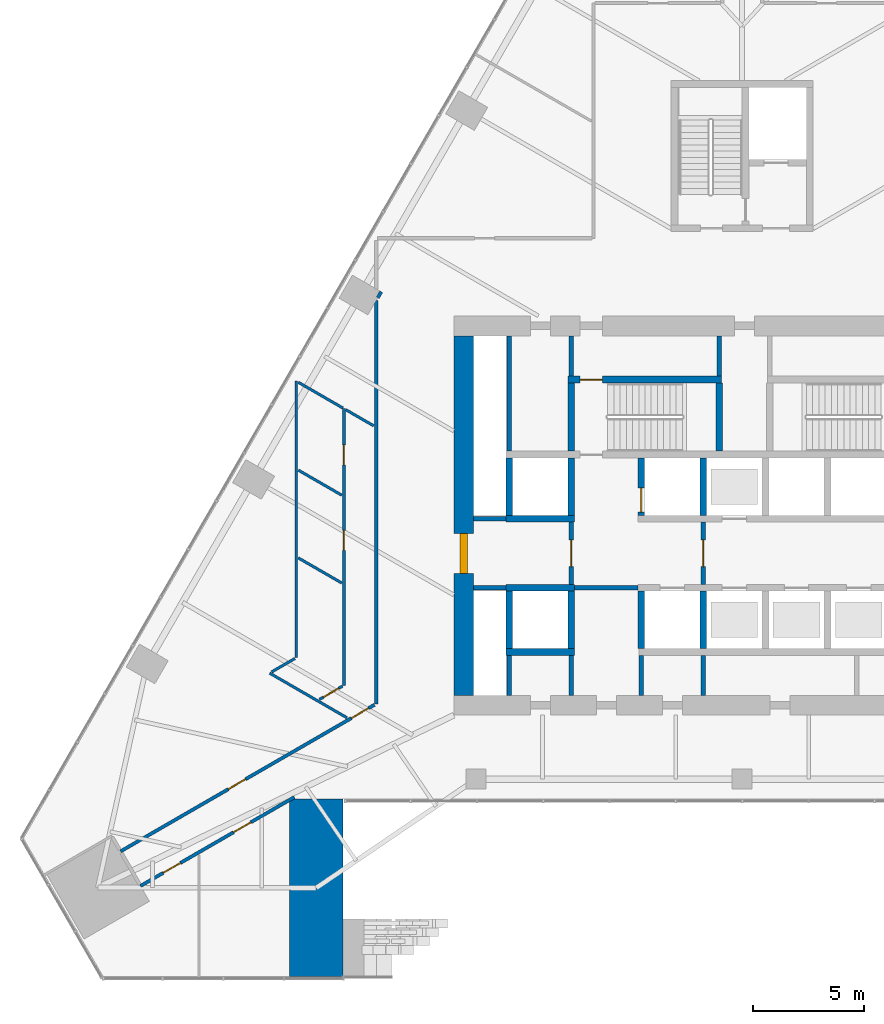
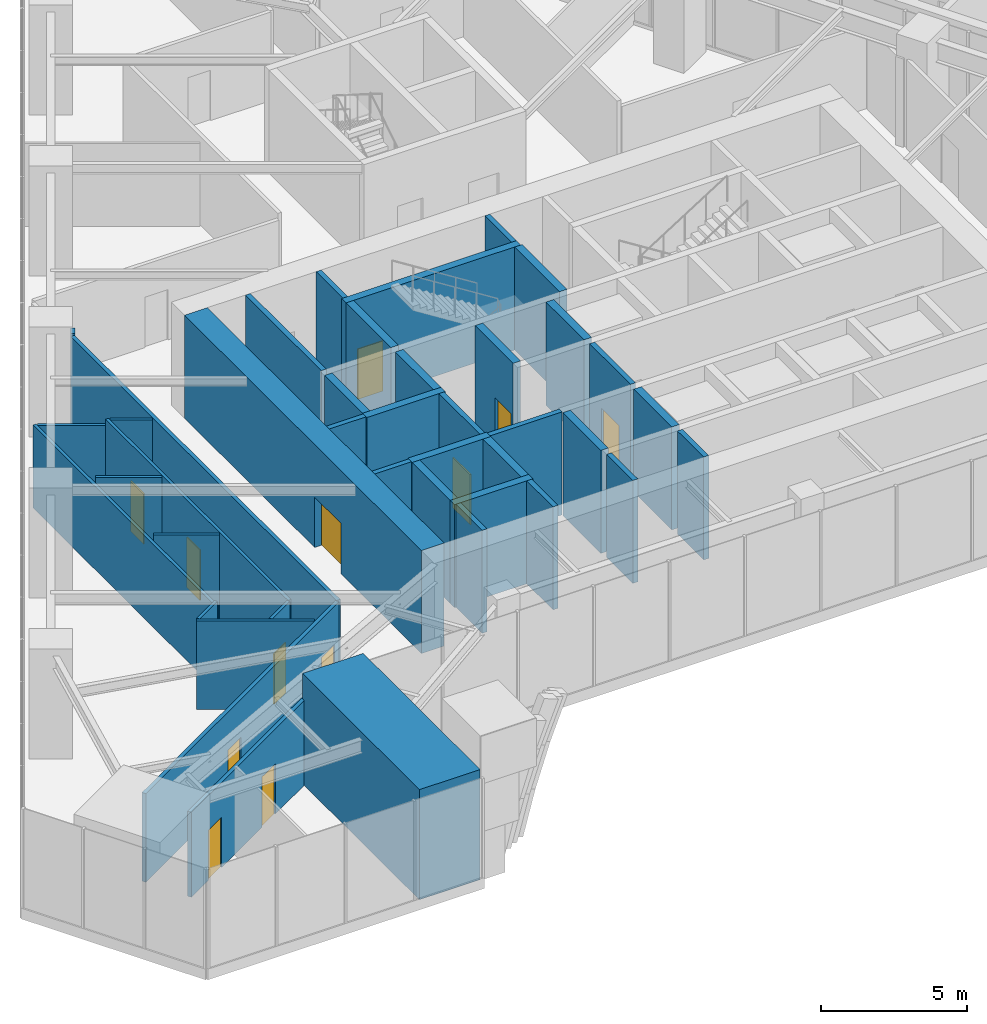
# One storey, part 17 of 29: 41 walls, 12 doors, 12 openings.
"""IFC4 building model written with IfcOpenShell, lengths in metres."""

import ifcopenshell
import ifcopenshell.guid

model = None  # the IFC model being written
_history = None  # IfcOwnerHistory: only IFC2X3 demands one
_inside = {}  # id of a spatial element -> (the spatial element, [elements in it])
_under = {}  # id of a project, library or spatial element -> (it, [spatial elements below it])
_declared = {}  # id of a project -> (the project, [libraries it declares])
_typed = {}  # id of a type object -> (the type object, [elements of that type])
_made_of = {}  # id of a material, layer set ... -> (it, [elements and type objects made of it])


def new_model(schema):
    """Start an empty IFC model of exactly this schema.

    Asked for "IFC4X3", IfcOpenShell would pick the latest addendum, in which some entities
    have other attributes; the version numbers below select the first issue.
    IFC2X3 requires an IfcOwnerHistory on every rooted entity: one is made here for all.
    """
    global model, _history
    if schema == "IFC4X3":
        model = ifcopenshell.file(schema_version=(4, 3, 0, 0))
    else:
        model = ifcopenshell.file(schema=schema)
    _inside.clear()
    _under.clear()
    _declared.clear()
    _typed.clear()
    _made_of.clear()
    _history = None
    if model.schema == "IFC2X3":
        org = make("IfcOrganization", Name="unknown")
        user = make(
            "IfcPersonAndOrganization",
            ThePerson=make("IfcPerson", FamilyName="unknown"),
            TheOrganization=org,
        )
        app = make(
            "IfcApplication",
            ApplicationDeveloper=org,
            Version="unknown",
            ApplicationFullName="unknown",
            ApplicationIdentifier="unknown",
        )
        _history = make(
            "IfcOwnerHistory",
            OwningUser=user,
            OwningApplication=app,
            ChangeAction="ADDED",
            CreationDate=0,
        )
    return model


def make(cls, **values):
    """One entity of the class cls with the attributes given. An attribute that is None is left unset."""
    return model.create_entity(
        cls, **{name: value for name, value in values.items() if value is not None}
    )


def rooted(cls, **values):
    """An entity with a GlobalId (a new one), such as an element, a storey or a relation."""
    return make(cls, GlobalId=ifcopenshell.guid.new(), OwnerHistory=_history, **values)


def si_unit(unit_type, name, prefix=None):
    """IfcSIUnit, for example si_unit("LENGTHUNIT", "METRE", prefix="MILLI")."""
    return make("IfcSIUnit", UnitType=unit_type, Prefix=prefix, Name=name)


def assignment(units):
    """IfcUnitAssignment: the units of a project."""
    return None if units is None else make("IfcUnitAssignment", Units=units)


def point(xyz):
    """IfcCartesianPoint."""
    return None if xyz is None else make("IfcCartesianPoint", Coordinates=xyz)


def direction(xyz):
    """IfcDirection."""
    return None if xyz is None else make("IfcDirection", DirectionRatios=xyz)


def frame(location, z_axis=None, x_axis=None):
    """IfcAxis2Placement3D, a coordinate frame: its origin and axes. An axis left out is left unset."""
    return make(
        "IfcAxis2Placement3D",
        Location=point(location),
        Axis=direction(z_axis),
        RefDirection=direction(x_axis),
    )


def frame_2d(location, x_axis=None):
    """IfcAxis2Placement2D, a coordinate frame in the plane: its origin and x axis."""
    return make(
        "IfcAxis2Placement2D", Location=point(location), RefDirection=direction(x_axis)
    )


def origin():
    """The frame at (0, 0, 0) with its axes left unset."""
    return frame((0.0, 0.0, 0.0))


def place(relative_to, where):
    """IfcLocalPlacement: puts the frame where relative to a parent placement (None: the world)."""
    return make(
        "IfcLocalPlacement", PlacementRelTo=relative_to, RelativePlacement=where
    )


def context(
    kind, dimensions, precision=None, world=None, true_north=None, identifier=None
):
    """IfcGeometricRepresentationContext, for example the 3D "Model" context."""
    return make(
        "IfcGeometricRepresentationContext",
        ContextIdentifier=identifier,
        ContextType=kind,
        CoordinateSpaceDimension=dimensions,
        Precision=precision,
        WorldCoordinateSystem=world,
        TrueNorth=true_north,
    )


def subcontext(parent, identifier, kind, view, scale=None):
    """IfcGeometricRepresentationSubContext, for example "Body" below "Model"."""
    return make(
        "IfcGeometricRepresentationSubContext",
        ContextIdentifier=identifier,
        ContextType=kind,
        ParentContext=parent,
        TargetScale=scale,
        TargetView=view,
    )


def project(units=None, contexts=None):
    """IfcProject with its units and contexts."""
    return rooted(
        "IfcProject",
        Name="project",
        RepresentationContexts=contexts,
        UnitsInContext=assignment(units),
    )


def spatial(cls, under=None, at=None, **own):
    """A site, building, storey or space (cls), placed at a placement, below another one or the project."""
    s = rooted(cls, ObjectPlacement=at, **own)
    if under is not None:
        _under.setdefault(under.id(), (under, []))[1].append(s)
    return s


def profile(cls, at=None, kind="AREA", **sizes):
    """A parametric profile (cls). Its sizes go by their IFC names, for example OverallWidth=200.0."""
    return make(cls, ProfileType=kind, Position=at, **sizes)


def rectangle(**sizes):
    """IfcRectangleProfileDef."""
    return profile("IfcRectangleProfileDef", **sizes)


def extrude(swept, where, along, depth):
    """IfcExtrudedAreaSolid: the profile swept, set in the frame where, extruded along a direction by depth."""
    return make(
        "IfcExtrudedAreaSolid",
        SweptArea=swept,
        Position=where,
        ExtrudedDirection=direction(along),
        Depth=depth,
    )


def shape(context_of_items, identifier, shape_type, items):
    """IfcShapeRepresentation: the items that make up one representation, for example the "Body"."""
    return make(
        "IfcShapeRepresentation",
        ContextOfItems=context_of_items,
        RepresentationIdentifier=identifier,
        RepresentationType=shape_type,
        Items=items,
    )


def material(Name=None, Category=None):
    """IfcMaterial."""
    return make("IfcMaterial", Name=Name, Category=Category)


def layer(
    of_material, thickness, ventilated=None, Name=None, Category=None, Priority=None
):
    """IfcMaterialLayer: one layer of a wall or slab, of a material (None: an air gap)."""
    return make(
        "IfcMaterialLayer",
        Material=of_material,
        LayerThickness=thickness,
        IsVentilated=ventilated,
        Name=Name,
        Category=Category,
        Priority=Priority,
    )


def layer_set(layers, Name=None):
    """IfcMaterialLayerSet."""
    return make("IfcMaterialLayerSet", MaterialLayers=layers, LayerSetName=Name)


def made_of(thing, what):
    """Note that an element or type object is made of a material, layer set ...; save() writes the relation."""
    if what is not None:
        _made_of.setdefault(what.id(), (what, []))[1].append(thing)
    return thing


def type_object(cls, material=None, **own):
    """A type object (cls), such as IfcWallType, which elements share."""
    return made_of(rooted(cls, **own), material)


def element(
    cls,
    number,
    at=None,
    inside=None,
    cuts=None,
    type_object=None,
    material=None,
    context=None,
    identifier="Body",
    shape_type=None,
    held_by="IfcProductDefinitionShape",
    body=None,
    shapes=None,
    **own,
):
    """One element of the class cls, such as IfcWall. Its Tag is "e" and its number.

    at: its placement. inside: the storey or other place that contains it. cuts: it is an
    opening in that element (IfcRelVoidsElement). A single representation is given by context,
    identifier, shape_type and body (its items); several are given by shapes. held_by: the class
    of the entity that holds the representations. save() writes the other relations.
    """
    e = rooted(cls, Tag="e%d" % number, ObjectPlacement=at, **own)
    if body is not None:
        shapes = [shape(context, identifier, shape_type, body)]
    if shapes is not None:
        e.Representation = make(held_by, Representations=shapes)
    if inside is not None:
        _inside.setdefault(inside.id(), (inside, []))[1].append(e)
    if cuts is not None:
        rooted(
            "IfcRelVoidsElement", RelatingBuildingElement=cuts, RelatedOpeningElement=e
        )
    if type_object is not None:
        _typed.setdefault(type_object.id(), (type_object, []))[1].append(e)
    return made_of(e, material)


def fill(opening, filler):
    """IfcRelFillsElement: the door or window that sits in an opening."""
    return rooted(
        "IfcRelFillsElement",
        RelatingOpeningElement=opening,
        RelatedBuildingElement=filler,
    )


def aggregate(whole, parts):
    """IfcRelAggregates: a whole, such as a stair, and the parts it consists of."""
    return rooted("IfcRelAggregates", RelatingObject=whole, RelatedObjects=parts)


def save(model, path):
    """Write the relations noted so far, then the file.

    IfcRelAggregates (storeys below a building ...), IfcRelContainedInSpatialStructure (elements
    in a storey), IfcRelDefinesByType, IfcRelAssociatesMaterial and IfcRelDeclares: one each for
    every whole, place, type object, material and project.
    """
    for whole, parts in _under.values():
        aggregate(whole, parts)
    for where, things in _inside.values():
        rooted(
            "IfcRelContainedInSpatialStructure",
            RelatedElements=things,
            RelatingStructure=where,
        )
    for kind, things in _typed.values():
        rooted("IfcRelDefinesByType", RelatedObjects=things, RelatingType=kind)
    for what, things in _made_of.values():
        rooted("IfcRelAssociatesMaterial", RelatedObjects=things, RelatingMaterial=what)
    for by, libraries in _declared.values():
        rooted("IfcRelDeclares", RelatingContext=by, RelatedDefinitions=libraries)
    model.write(path)


model = new_model("IFC4")

# Units and contexts
model_context = context("Model", 3, precision=1e-05, world=origin(), true_north=direction((0.0, 1.0)))
body_context = subcontext(model_context, "Body", "Model", "MODEL_VIEW")
ifc_project = project(units=[si_unit("LENGTHUNIT", "METRE"), si_unit("AREAUNIT", "SQUARE_METRE"), si_unit("VOLUMEUNIT", "CUBIC_METRE"), si_unit("PLANEANGLEUNIT", "RADIAN"), si_unit("MASSUNIT", "GRAM", prefix="KILO")], contexts=[model_context])

# Site, building, storey
site_placement = place(None, origin())
site = spatial("IfcSite", under=ifc_project, at=site_placement, CompositionType="ELEMENT")
building_placement = place(site_placement, origin())
building = spatial("IfcBuilding", under=site, at=building_placement, Name="Firuza Gate Tower and Library", CompositionType="ELEMENT")
storey_placement = place(building_placement, frame((0.0, 0.0, 8.0)))
storey = spatial("IfcBuildingStorey", under=building, at=storey_placement, Name="L01", CompositionType="ELEMENT", Elevation=8.0)

# Walls
ifc_material_1 = material(Name="Plasterboard on steel studs", Category="steel")
ifc_layer_1 = layer(ifc_material_1, 0.199951171875)
ifc_layer_set_1 = layer_set([ifc_layer_1], Name="Core partition 200 EI 120")
wall_type_1 = type_object("IfcWallType", Name="Core partition 200 EI 120", PredefinedType="PARTITIONING", material=ifc_layer_set_1)
wall_1_placement = place(storey_placement, frame((62.89990234375, 71.75, 0.0), z_axis=(0.0, 0.0, 1.0), x_axis=(1.0, 0.0, 0.0)))
element("IfcWall", 1, at=wall_1_placement, inside=storey, type_object=wall_type_1, Name="Core partition L01 1", PredefinedType="PARTITIONING", context=body_context, shape_type="SweptSolid", body=[
    extrude(rectangle(XDim=1.4501953125, YDim=0.199951171875, at=frame_2d((0.72509765625, 0.0))), origin(), (0.0, 0.0, 1.0), 4.300048828125),
])
wall_2_placement = place(storey_placement, frame((67.449951171875, 71.75, 0.0), z_axis=(0.0, 0.0, 1.0), x_axis=(1.0, 0.0, 0.0)))
element("IfcWall", 2, at=wall_2_placement, inside=storey, type_object=wall_type_1, Name="Core partition L01 2", PredefinedType="PARTITIONING", context=body_context, shape_type="SweptSolid", body=[
    extrude(rectangle(XDim=2.85009765625, YDim=0.199951171875, at=frame_2d((1.425048828125, 0.0))), origin(), (0.0, 0.0, 1.0), 4.300048828125),
])
wall_3_placement = place(storey_placement, frame((62.89990234375, 74.85009765625, 0.0), z_axis=(0.0, 0.0, 1.0), x_axis=(1.0, 0.0, 0.0)))
element("IfcWall", 3, at=wall_3_placement, inside=storey, type_object=wall_type_1, Name="Core partition L01 3", PredefinedType="PARTITIONING", context=body_context, shape_type="SweptSolid", body=[
    extrude(rectangle(XDim=1.4501953125, YDim=0.199951171875, at=frame_2d((0.72509765625, 0.0))), origin(), (0.0, 0.0, 1.0), 4.300048828125),
])
wall_4_placement = place(storey_placement, frame((64.5, 66.89990234375, 0.0), z_axis=(0.0, 0.0, 1.0), x_axis=(0.0, 1.0, 0.0)))
element("IfcWall", 4, at=wall_4_placement, inside=storey, type_object=wall_type_1, Name="Core partition L01 5", PredefinedType="PARTITIONING", context=body_context, shape_type="SweptSolid", body=[
    extrude(rectangle(XDim=1.800048828125, YDim=0.199951171875, at=frame_2d((0.89990234375, 0.0))), origin(), (0.0, 0.0, 1.0), 4.300048828125),
])
wall_5_placement = place(storey_placement, frame((64.5, 77.89990234375, 0.0), z_axis=(0.0, 0.0, 1.0), x_axis=(0.0, 1.0, 0.0)))
element("IfcWall", 5, at=wall_5_placement, inside=storey, type_object=wall_type_1, Name="Core partition L01 6", PredefinedType="PARTITIONING", context=body_context, shape_type="SweptSolid", body=[
    extrude(rectangle(XDim=5.2001953125, YDim=0.199951171875, at=frame_2d((2.60009765625, 0.0))), origin(), (0.0, 0.0, 1.0), 4.300048828125),
])
for number, where, z_axis, x_axis, name in (
    (6, (67.300048828125, 66.89990234375, 0.0), (0.0, 0.0, 1.0), (0.0, 1.0, 0.0), "Core partition L01 7"),
    (7, (70.449951171875, 66.89990234375, 0.0), (0.0, 0.0, 1.0), (0.0, 1.0, 0.0), "Core partition L01 10"),
    (8, (73.25, 66.89990234375, 0.0), (0.0, 0.0, 1.0), (0.0, 1.0, 0.0), "Core partition L01 11"),
):
    element("IfcWall", number, at=place(storey_placement, frame(where, z_axis=z_axis, x_axis=x_axis)), inside=storey, type_object=wall_type_1, Name=name, PredefinedType="PARTITIONING", context=body_context, shape_type="SweptSolid", body=[
        extrude(rectangle(XDim=1.800048828125, YDim=0.199951171875, at=frame_2d((0.89990234375, 0.0))), origin(), (0.0, 0.0, 1.0), 4.300048828125),
    ])

# Wall, opening, door
ifc_material_2 = material(Name="Plasterboard on steel studs", Category="steel")
ifc_layer_2 = layer(ifc_material_2, 0.199951171875)
ifc_layer_set_2 = layer_set([ifc_layer_2], Name="Core partition 200 EI 60")
wall_type_2 = type_object("IfcWallType", Name="Core partition 200 EI 60", PredefinedType="PARTITIONING", material=ifc_layer_set_2)
wall_6_placement = place(storey_placement, frame((67.300048828125, 71.89990234375, 0.0), z_axis=(0.0, 0.0, 1.0), x_axis=(0.0, 1.0, 0.0)))
wall_6 = element("IfcWall", 9, at=wall_6_placement, inside=storey, type_object=wall_type_2, Name="Core partition L01 8", PredefinedType="PARTITIONING", context=body_context, shape_type="SweptSolid", body=[
    extrude(rectangle(XDim=2.800048828125, YDim=0.199951171875, at=frame_2d((1.39990234375, 0.0))), origin(), (0.0, 0.0, 1.0), 4.300048828125),
])
opening_1_placement = place(wall_6_placement, frame((0.800048828125, 0.0, 0.0)))
opening_1 = element("IfcOpeningElement", 10, at=opening_1_placement, cuts=wall_6, Name="Opening L01-K21", PredefinedType="OPENING", context=body_context, shape_type="SweptSolid", body=[
    extrude(rectangle(XDim=1.199951171875, YDim=2.10009765625, at=frame_2d((0.60009765625, 1.050048828125))), frame((0.0, 0.10986328125, 0.0), z_axis=(0.0, -1.0, 0.0), x_axis=(1.0, 0.0, 0.0)), (0.0, 0.0, 1.0), 0.219970703125),
])
ifc_material_3 = material(Name="Steel", Category="steel")
door_type_1 = type_object("IfcDoorType", Name="Fire door 1200x2100 FD90S", OperationType="NOTDEFINED", PredefinedType="DOOR", material=ifc_material_3)
door_1_placement = place(opening_1_placement, origin())
door_1 = element("IfcDoor", 11, at=door_1_placement, inside=storey, type_object=door_type_1, Name="Door L01-K21", OperationType="SINGLE_SWING_RIGHT", OverallHeight=2.10009765625, OverallWidth=1.199951171875, PredefinedType="DOOR", context=body_context, shape_type="SweptSolid", body=[
    extrude(rectangle(XDim=1.199951171875, YDim=2.10009765625, at=frame_2d((0.60009765625, 1.050048828125))), frame((0.0, 0.02490234375, 0.0), z_axis=(0.0, -1.0, 0.0), x_axis=(1.0, 0.0, 0.0)), (0.0, 0.0, 1.0), 0.050048828125),
])
fill(opening_1, door_1)

# Wall
wall_7_placement = place(storey_placement, frame((67.300048828125, 81.280029296875, 0.0), z_axis=(0.0, 0.0, 1.0), x_axis=(0.0, 1.0, 0.0)))
element("IfcWall", 12, at=wall_7_placement, inside=storey, type_object=wall_type_2, Name="Core partition L01 9", PredefinedType="PARTITIONING", context=body_context, shape_type="SweptSolid", body=[
    extrude(rectangle(XDim=1.820068359375, YDim=0.199951171875, at=frame_2d((0.91015625, 0.0))), origin(), (0.0, 0.0, 1.0), 4.300048828125),
])

# Wall, opening, door
wall_8_placement = place(storey_placement, frame((73.25, 71.89990234375, 0.0), z_axis=(0.0, 0.0, 1.0), x_axis=(0.0, 1.0, 0.0)))
wall_8 = element("IfcWall", 13, at=wall_8_placement, inside=storey, type_object=wall_type_2, Name="Core partition L01 12", PredefinedType="PARTITIONING", context=body_context, shape_type="SweptSolid", body=[
    extrude(rectangle(XDim=2.800048828125, YDim=0.199951171875, at=frame_2d((1.39990234375, 0.0))), origin(), (0.0, 0.0, 1.0), 4.300048828125),
])
opening_2_placement = place(wall_8_placement, frame((0.800048828125, 0.0, 0.0)))
opening_2 = element("IfcOpeningElement", 14, at=opening_2_placement, cuts=wall_8, Name="Opening L01-K20", PredefinedType="OPENING", context=body_context, shape_type="SweptSolid", body=[
    extrude(rectangle(XDim=1.199951171875, YDim=2.10009765625, at=frame_2d((0.60009765625, 1.050048828125))), frame((0.0, 0.10986328125, 0.0), z_axis=(0.0, -1.0, 0.0), x_axis=(1.0, 0.0, 0.0)), (0.0, 0.0, 1.0), 0.219970703125),
])
door_2_placement = place(opening_2_placement, origin())
door_2 = element("IfcDoor", 15, at=door_2_placement, inside=storey, type_object=door_type_1, Name="Door L01-K20", OperationType="SINGLE_SWING_LEFT", OverallHeight=2.10009765625, OverallWidth=1.199951171875, PredefinedType="DOOR", context=body_context, shape_type="SweptSolid", body=[
    extrude(rectangle(XDim=1.199951171875, YDim=2.10009765625, at=frame_2d((0.60009765625, 1.050048828125))), frame((0.0, 0.02490234375, 0.0), z_axis=(0.0, -1.0, 0.0), x_axis=(1.0, 0.0, 0.0)), (0.0, 0.0, 1.0), 0.050048828125),
])
fill(opening_2, door_2)

# Walls
wall_9_placement = place(storey_placement, frame((73.9599609375, 81.280029296875, 0.0), z_axis=(0.0, 0.0, 1.0), x_axis=(0.0, 1.0, 0.0)))
element("IfcWall", 16, at=wall_9_placement, inside=storey, type_object=wall_type_2, Name="Core partition L01 13", PredefinedType="PARTITIONING", context=body_context, shape_type="SweptSolid", body=[
    extrude(rectangle(XDim=1.820068359375, YDim=0.199951171875, at=frame_2d((0.91015625, 0.0))), origin(), (0.0, 0.0, 1.0), 4.300048828125),
])
ifc_material_4 = material(Name="Concrete C80/95", Category="concrete")
ifc_layer_3 = layer(ifc_material_4, 0.300048828125)
ifc_layer_set_3 = layer_set([ifc_layer_3], Name="Core wall 300 C80/95")
wall_type_3 = type_object("IfcWallType", Name="Core wall 300 C80/95", PredefinedType="SHEAR", material=ifc_layer_set_3)
for number, where, z_axis, x_axis, name in (
    (17, (64.35009765625, 68.85009765625, 0.0), (0.0, 0.0, 1.0), (1.0, 0.0, 0.0), "Core wall L01 5"),
    (18, (64.35009765625, 71.75, 0.0), (0.0, 0.0, 1.0), (1.0, 0.0, 0.0), "Core wall L01 7"),
    (19, (64.35009765625, 74.85009765625, 0.0), (0.0, 0.0, 1.0), (1.0, 0.0, 0.0), "Core wall L01 9"),
):
    element("IfcWall", number, at=place(storey_placement, frame(where, z_axis=z_axis, x_axis=x_axis)), inside=storey, type_object=wall_type_3, Name=name, PredefinedType="SHEAR", context=body_context, shape_type="SweptSolid", body=[
        extrude(rectangle(XDim=3.099853515625, YDim=0.300048828125, at=frame_2d((1.5498046875, 0.0))), origin(), (0.0, 0.0, 1.0), 4.300048828125),
    ])
for number, where, z_axis, x_axis, name in (
    (20, (64.5, 69.0, 0.0), (0.0, 0.0, 1.0), (0.0, 1.0, 0.0), "Core wall L01 11"),
    (21, (64.5, 75.0, 0.0), (0.0, 0.0, 1.0), (0.0, 1.0, 0.0), "Core wall L01 12"),
    (22, (67.300048828125, 69.0, 0.0), (0.0, 0.0, 1.0), (0.0, 1.0, 0.0), "Core wall L01 13"),
    (23, (67.300048828125, 75.0, 0.0), (0.0, 0.0, 1.0), (0.0, 1.0, 0.0), "Core wall L01 14"),
    (24, (70.449951171875, 69.0, 0.0), (0.0, 0.0, 1.0), (0.0, 1.0, 0.0), "Core wall L01 15"),
):
    element("IfcWall", number, at=place(storey_placement, frame(where, z_axis=z_axis, x_axis=x_axis)), inside=storey, type_object=wall_type_3, Name=name, PredefinedType="SHEAR", context=body_context, shape_type="SweptSolid", body=[
        extrude(rectangle(XDim=2.60009765625, YDim=0.300048828125, at=frame_2d((1.300048828125, 0.0))), origin(), (0.0, 0.0, 1.0), 4.300048828125),
    ])

# Wall, opening, door
wall_10_placement = place(storey_placement, frame((70.449951171875, 75.0, 0.0), z_axis=(0.0, 0.0, 1.0), x_axis=(0.0, 1.0, 0.0)))
wall_10 = element("IfcWall", 25, at=wall_10_placement, inside=storey, type_object=wall_type_3, Name="Core wall L01 16", PredefinedType="SHEAR", context=body_context, shape_type="SweptSolid", body=[
    extrude(rectangle(XDim=2.60009765625, YDim=0.300048828125, at=frame_2d((1.300048828125, 0.0))), origin(), (0.0, 0.0, 1.0), 4.300048828125),
])
opening_3_placement = place(wall_10_placement, frame((0.14990234375, 0.0, 0.0)))
opening_3 = element("IfcOpeningElement", 26, at=opening_3_placement, cuts=wall_10, Name="Opening LD-FF2-L01", PredefinedType="OPENING", context=body_context, shape_type="SweptSolid", body=[
    extrude(rectangle(XDim=1.10009765625, YDim=2.10009765625, at=frame_2d((0.550048828125, 1.050048828125))), frame((0.0, 0.16015625, 0.0), z_axis=(0.0, -1.0, 0.0), x_axis=(1.0, 0.0, 0.0)), (0.0, 0.0, 1.0), 0.320068359375),
])
ifc_material_5 = material(Name="Stainless steel", Category="steel")
door_type_2 = type_object("IfcDoorType", Name="Lift landing door 1100x2100", OperationType="DOUBLE_DOOR_SLIDING", PredefinedType="DOOR", material=ifc_material_5)
door_3_placement = place(opening_3_placement, origin())
door_3 = element("IfcDoor", 27, at=door_3_placement, inside=storey, type_object=door_type_2, Name="Landing door FF2 L01", OperationType="DOUBLE_DOOR_SLIDING", OverallHeight=2.10009765625, OverallWidth=1.10009765625, PredefinedType="DOOR", context=body_context, shape_type="SweptSolid", body=[
    extrude(rectangle(XDim=1.10009765625, YDim=2.10009765625, at=frame_2d((0.550048828125, 1.050048828125))), frame((0.0, 0.02490234375, 0.0), z_axis=(0.0, -1.0, 0.0), x_axis=(1.0, 0.0, 0.0)), (0.0, 0.0, 1.0), 0.050048828125),
])
fill(opening_3, door_3)

# Walls
for number, where, z_axis, x_axis, name in (
    (28, (73.25, 69.0, 0.0), (0.0, 0.0, 1.0), (0.0, 1.0, 0.0), "Core wall L01 17"),
    (29, (73.25, 75.0, 0.0), (0.0, 0.0, 1.0), (0.0, 1.0, 0.0), "Core wall L01 18"),
):
    element("IfcWall", number, at=place(storey_placement, frame(where, z_axis=z_axis, x_axis=x_axis)), inside=storey, type_object=wall_type_3, Name=name, PredefinedType="SHEAR", context=body_context, shape_type="SweptSolid", body=[
        extrude(rectangle(XDim=2.60009765625, YDim=0.300048828125, at=frame_2d((1.300048828125, 0.0))), origin(), (0.0, 0.0, 1.0), 4.300048828125),
    ])

# Wall, opening, door
wall_11_placement = place(storey_placement, frame((67.14990234375, 81.1298828125, 0.0), z_axis=(0.0, 0.0, 1.0), x_axis=(1.0, 0.0, 0.0)))
wall_11 = element("IfcWall", 30, at=wall_11_placement, inside=storey, type_object=wall_type_3, Name="Core wall L01 28", PredefinedType="SHEAR", context=body_context, shape_type="SweptSolid", body=[
    extrude(rectangle(XDim=6.91015625, YDim=0.300048828125, at=frame_2d((3.455078125, 0.0))), origin(), (0.0, 0.0, 1.0), 4.300048828125),
])
opening_4_placement = place(wall_11_placement, frame((0.544921875, 0.0, 0.0)))
opening_4 = element("IfcOpeningElement", 31, at=opening_4_placement, cuts=wall_11, Name="Opening L01-K13", PredefinedType="OPENING", context=body_context, shape_type="SweptSolid", body=[
    extrude(rectangle(XDim=1.0, YDim=2.10009765625, at=frame_2d((0.5, 1.050048828125))), frame((0.0, 0.16015625, 0.0), z_axis=(0.0, -1.0, 0.0), x_axis=(1.0, 0.0, 0.0)), (0.0, 0.0, 1.0), 0.320068359375),
])
ifc_material_6 = material(Name="Steel", Category="steel")
door_type_3 = type_object("IfcDoorType", Name="Fire door 1000x2100 FD90", OperationType="NOTDEFINED", PredefinedType="DOOR", material=ifc_material_6)
door_4_placement = place(opening_4_placement, origin())
door_4 = element("IfcDoor", 32, at=door_4_placement, inside=storey, type_object=door_type_3, Name="Door L01-K13", OperationType="SINGLE_SWING_RIGHT", OverallHeight=2.10009765625, OverallWidth=1.0, PredefinedType="DOOR", context=body_context, shape_type="SweptSolid", body=[
    extrude(rectangle(XDim=1.0, YDim=2.10009765625, at=frame_2d((0.5, 1.050048828125))), frame((0.0, 0.02490234375, 0.0), z_axis=(0.0, -1.0, 0.0), x_axis=(1.0, 0.0, 0.0)), (0.0, 0.0, 1.0), 0.050048828125),
])
fill(opening_4, door_4)

# Walls
for number, where, z_axis, x_axis, name in (
    (33, (67.300048828125, 77.89990234375, 0.0), (0.0, 0.0, 1.0), (0.0, 1.0, 0.0), "Core wall L01 30"),
    (34, (73.9599609375, 77.89990234375, 0.0), (0.0, 0.0, 1.0), (0.0, 1.0, 0.0), "Core wall L01 31"),
):
    element("IfcWall", number, at=place(storey_placement, frame(where, z_axis=z_axis, x_axis=x_axis)), inside=storey, type_object=wall_type_3, Name=name, PredefinedType="SHEAR", context=body_context, shape_type="SweptSolid", body=[
        extrude(rectangle(XDim=3.080078125, YDim=0.300048828125, at=frame_2d((1.5400390625, 0.0))), origin(), (0.0, 0.0, 1.0), 4.300048828125),
    ])

# Wall, opening, door
ifc_material_7 = material(Name="Concrete C80/95", Category="concrete")
ifc_layer_4 = layer(ifc_material_7, 0.89990234375)
ifc_layer_set_4 = layer_set([ifc_layer_4], Name="Core wall 900 C80/95")
wall_type_4 = type_object("IfcWallType", Name="Core wall 900 C80/95", PredefinedType="SHEAR", material=ifc_layer_set_4)
wall_12_placement = place(storey_placement, frame((62.449951171875, 66.89990234375, 0.0), z_axis=(0.0, 0.0, 1.0), x_axis=(0.0, 1.0, 0.0)))
wall_12 = element("IfcWall", 35, at=wall_12_placement, inside=storey, type_object=wall_type_4, Name="Core wall L01 3", PredefinedType="SHEAR", context=body_context, shape_type="SweptSolid", body=[
    extrude(rectangle(XDim=16.2001953125, YDim=0.89990234375, at=frame_2d((8.10009765625, 0.0))), origin(), (0.0, 0.0, 1.0), 4.300048828125),
])
opening_5_placement = place(wall_12_placement, frame((5.5, 0.0, 0.0)))
opening_5 = element("IfcOpeningElement", 36, at=opening_5_placement, cuts=wall_12, Name="Opening L01-K22", PredefinedType="OPENING", context=body_context, shape_type="SweptSolid", body=[
    extrude(rectangle(XDim=1.800048828125, YDim=2.10009765625, at=frame_2d((0.89990234375, 1.050048828125))), frame((0.0, 0.4599609375, 0.0), z_axis=(0.0, -1.0, 0.0), x_axis=(1.0, 0.0, 0.0)), (0.0, 0.0, 1.0), 0.919921875),
])
ifc_material_8 = material(Name="Steel", Category="steel")
door_type_4 = type_object("IfcDoorType", Name="Fire door 1800x2100 FD30S", OperationType="NOTDEFINED", PredefinedType="DOOR", material=ifc_material_8)
door_5_placement = place(opening_5_placement, origin())
door_5 = element("IfcDoor", 37, at=door_5_placement, inside=storey, type_object=door_type_4, Name="Door L01-K22", OperationType="SINGLE_SWING_LEFT", OverallHeight=2.10009765625, OverallWidth=1.800048828125, PredefinedType="DOOR", context=body_context, shape_type="SweptSolid", body=[
    extrude(rectangle(XDim=1.800048828125, YDim=2.10009765625, at=frame_2d((0.89990234375, 1.050048828125))), frame((0.0, 0.169921875, 0.0), z_axis=(0.0, -1.0, 0.0), x_axis=(1.0, 0.0, 0.0)), (0.0, 0.0, 1.0), 0.33984375),
])
fill(opening_5, door_5)

# Wall, openings, doors
ifc_material_9 = material(Name="Gypsum board partition")
ifc_layer_5 = layer(ifc_material_9, 0.14990234375)
ifc_layer_set_5 = layer_set([ifc_layer_5], Name="Corridor wall 150 double board on steel studs")
wall_type_5 = type_object("IfcWallType", Name="Corridor wall 150 double board on steel studs", PredefinedType="PARTITIONING", material=ifc_layer_set_5)
wall_13_placement = place(storey_placement, frame((54.813720703125, 62.306396484375, 0.0), z_axis=(0.0, 0.0, 1.0), x_axis=(-0.866015941479, -0.500016388836, 0.0)))
wall_13 = element("IfcWall", 38, at=wall_13_placement, inside=storey, type_object=wall_type_5, Name="f:L01:w009", PredefinedType="PARTITIONING", context=body_context, shape_type="SweptSolid", body=[
    extrude(rectangle(XDim=8.004638671875, YDim=0.14990234375, at=frame_2d((4.00244140625, 0.0))), origin(), (0.0, 0.0, 1.0), 3.547119140625),
])
opening_6_placement = place(wall_13_placement, frame((2.265869140625, 0.0, 0.0)))
opening_6 = element("IfcOpeningElement", 39, at=opening_6_placement, cuts=wall_13, Name="Opening L01-06", PredefinedType="OPENING", context=body_context, shape_type="SweptSolid", body=[
    extrude(rectangle(XDim=0.89990234375, YDim=2.10009765625, at=frame_2d((0.449951171875, 1.050048828125))), frame((0.0, 0.0849609375, 0.0), z_axis=(0.0, -1.0, 0.0), x_axis=(1.0, 0.0, 0.0)), (0.0, 0.0, 1.0), 0.169921875),
])
opening_7_placement = place(wall_13_placement, frame((5.929931640625, 0.0, 0.0)))
opening_7 = element("IfcOpeningElement", 40, at=opening_7_placement, cuts=wall_13, Name="Opening L01-07", PredefinedType="OPENING", context=body_context, shape_type="SweptSolid", body=[
    extrude(rectangle(XDim=0.89990234375, YDim=2.10009765625, at=frame_2d((0.449951171875, 1.050048828125))), frame((0.0, 0.0849609375, 0.0), z_axis=(0.0, -1.0, 0.0), x_axis=(1.0, 0.0, 0.0)), (0.0, 0.0, 1.0), 0.169921875),
])
ifc_material_10 = material(Name="Steel door and timber leaf", Category="steel")
door_type_5 = type_object("IfcDoorType", Name="Fire door 900 x 2100 steel frame, timber leaf", OperationType="NOTDEFINED", PredefinedType="DOOR", material=ifc_material_10)
door_6_placement = place(opening_6_placement, origin())
door_6 = element("IfcDoor", 41, at=door_6_placement, inside=storey, type_object=door_type_5, Name="f:L01:d006", OperationType="SINGLE_SWING_LEFT", OverallHeight=2.10009765625, OverallWidth=0.89990234375, PredefinedType="DOOR", context=body_context, shape_type="SweptSolid", body=[
    extrude(rectangle(XDim=0.89990234375, YDim=2.10009765625, at=frame_2d((0.449951171875, 1.050048828125))), frame((0.0, 0.02490234375, 0.0), z_axis=(0.0, -1.0, 0.0), x_axis=(1.0, 0.0, 0.0)), (0.0, 0.0, 1.0), 0.050048828125),
])
fill(opening_6, door_6)
door_7_placement = place(opening_7_placement, origin())
door_7 = element("IfcDoor", 42, at=door_7_placement, inside=storey, type_object=door_type_5, Name="f:L01:d007", OperationType="SINGLE_SWING_RIGHT", OverallHeight=2.10009765625, OverallWidth=0.89990234375, PredefinedType="DOOR", context=body_context, shape_type="SweptSolid", body=[
    extrude(rectangle(XDim=0.89990234375, YDim=2.10009765625, at=frame_2d((0.449951171875, 1.050048828125))), frame((0.0, 0.02490234375, 0.0), z_axis=(0.0, -1.0, 0.0), x_axis=(1.0, 0.0, 0.0)), (0.0, 0.0, 1.0), 0.050048828125),
])
fill(opening_7, door_7)

wall_14_placement = place(storey_placement, frame((46.98095703125, 59.862548828125, 0.0), z_axis=(0.0, 0.0, 1.0), x_axis=(0.866027754727, 0.499995928025, 0.0)))
wall_14 = element("IfcWall", 43, at=wall_14_placement, inside=storey, type_object=wall_type_5, Name="f:L01:w010", PredefinedType="PARTITIONING", context=body_context, shape_type="SweptSolid", body=[
    extrude(rectangle(XDim=13.21435546875, YDim=0.14990234375, at=frame_2d((6.607177734375, 0.0))), origin(), (0.0, 0.0, 1.0), 3.699951171875),
])
opening_8_placement = place(wall_14_placement, frame((5.609130859375, 0.0, 0.0)))
opening_8 = element("IfcOpeningElement", 44, at=opening_8_placement, cuts=wall_14, Name="Opening L01-08", PredefinedType="OPENING", context=body_context, shape_type="SweptSolid", body=[
    extrude(rectangle(XDim=0.89990234375, YDim=2.10009765625, at=frame_2d((0.449951171875, 1.050048828125))), frame((0.0, 0.0849609375, 0.0), z_axis=(0.0, -1.0, 0.0), x_axis=(1.0, 0.0, 0.0)), (0.0, 0.0, 1.0), 0.169921875),
])
opening_9_placement = place(wall_14_placement, frame((12.012939453125, 0.0, 0.0)))
opening_9 = element("IfcOpeningElement", 45, at=opening_9_placement, cuts=wall_14, Name="Opening L01-09", PredefinedType="OPENING", context=body_context, shape_type="SweptSolid", body=[
    extrude(rectangle(XDim=0.89990234375, YDim=2.10009765625, at=frame_2d((0.449951171875, 1.050048828125))), frame((0.0, 0.0849609375, 0.0), z_axis=(0.0, -1.0, 0.0), x_axis=(1.0, 0.0, 0.0)), (0.0, 0.0, 1.0), 0.169921875),
])
door_8_placement = place(opening_8_placement, origin())
door_8 = element("IfcDoor", 46, at=door_8_placement, inside=storey, type_object=door_type_5, Name="f:L01:d008", OperationType="SINGLE_SWING_LEFT", OverallHeight=2.10009765625, OverallWidth=0.89990234375, PredefinedType="DOOR", context=body_context, shape_type="SweptSolid", body=[
    extrude(rectangle(XDim=0.89990234375, YDim=2.10009765625, at=frame_2d((0.449951171875, 1.050048828125))), frame((0.0, 0.02490234375, 0.0), z_axis=(0.0, -1.0, 0.0), x_axis=(1.0, 0.0, 0.0)), (0.0, 0.0, 1.0), 0.050048828125),
])
fill(opening_8, door_8)
door_9_placement = place(opening_9_placement, origin())
door_9 = element("IfcDoor", 47, at=door_9_placement, inside=storey, type_object=door_type_5, Name="f:L01:d009", OperationType="SINGLE_SWING_LEFT", OverallHeight=2.10009765625, OverallWidth=0.89990234375, PredefinedType="DOOR", context=body_context, shape_type="SweptSolid", body=[
    extrude(rectangle(XDim=0.89990234375, YDim=2.10009765625, at=frame_2d((0.449951171875, 1.050048828125))), frame((0.0, 0.02490234375, 0.0), z_axis=(0.0, -1.0, 0.0), x_axis=(1.0, 0.0, 0.0)), (0.0, 0.0, 1.0), 0.050048828125),
])
fill(opening_9, door_9)

# Walls
wall_15_placement = place(storey_placement, frame((58.57568359375, 84.820068359375, 0.0), z_axis=(0.0, 0.0, 1.0), x_axis=(0.49972245349, 0.866185586049, 0.0)))
element("IfcWall", 48, at=wall_15_placement, inside=storey, type_object=wall_type_5, Name="f:L01:w016", PredefinedType="PARTITIONING", context=body_context, shape_type="SweptSolid", body=[
    extrude(rectangle(XDim=0.307861328125, YDim=0.14990234375, at=frame_2d((0.15380859375, 0.0))), origin(), (0.0, 0.0, 1.0), 3.699951171875),
])
wall_16_placement = place(storey_placement, frame((58.5, 66.512939453125, 0.0), z_axis=(0.0, 0.0, 1.0), x_axis=(0.0, 1.0, 0.0)))
element("IfcWall", 49, at=wall_16_placement, inside=storey, type_object=wall_type_5, Name="f:L01:w025", PredefinedType="PARTITIONING", context=body_context, shape_type="SweptSolid", body=[
    extrude(rectangle(XDim=18.17724609375, YDim=0.14990234375, at=frame_2d((9.088623046875, 0.0))), origin(), (0.0, 0.0, 1.0), 3.699951171875),
])
ifc_material_11 = material(Name="Concrete C80/95", Category="concrete")
ifc_layer_6 = layer(ifc_material_11, 2.39990234375)
ifc_layer_set_6 = layer_set([ifc_layer_6], Name="Iwan wall 2400 C80/95")
wall_type_6 = type_object("IfcWallType", Name="Iwan wall 2400 C80/95", PredefinedType="SHEAR", material=ifc_layer_set_6)
wall_17_placement = place(storey_placement, frame((55.800048828125, 54.21533203125, 0.0), z_axis=(0.0, 0.0, 1.0), x_axis=(0.0, 1.0, 0.0)))
element("IfcWall", 50, at=wall_17_placement, inside=storey, type_object=wall_type_6, Name="Iwan wall W L01", PredefinedType="SHEAR", context=body_context, shape_type="SweptSolid", body=[
    extrude(rectangle(XDim=8.0, YDim=2.39990234375, at=frame_2d((4.0, 0.0))), origin(), (0.0, 0.0, 1.0), 4.60009765625),
])

# Wall, opening, door
ifc_material_12 = material(Name="Gypsum board partition")
ifc_layer_7 = layer(ifc_material_12, 0.1201171875)
ifc_layer_set_7 = layer_set([ifc_layer_7], Name="Wet-area partition 120 moisture-resistant board")
wall_type_7 = type_object("IfcWallType", Name="Wet-area partition 120 moisture-resistant board", PredefinedType="PARTITIONING", material=ifc_layer_set_7)
wall_18_placement = place(storey_placement, frame((55.944580078125, 66.7119140625, 0.0), z_axis=(0.0, 0.0, 1.0), x_axis=(0.866044131922, 0.499967560512, 0.0)))
wall_18 = element("IfcWall", 51, at=wall_18_placement, inside=storey, type_object=wall_type_7, Name="f:L01:w012", PredefinedType="PARTITIONING", context=body_context, shape_type="SweptSolid", body=[
    extrude(rectangle(XDim=1.20703125, YDim=0.1201171875, at=frame_2d((0.603515625, 0.0))), origin(), (0.0, 0.0, 1.0), 3.699951171875),
])
opening_10_placement = place(wall_18_placement, frame((0.20361328125, 0.0, 0.0)))
opening_10 = element("IfcOpeningElement", 52, at=opening_10_placement, cuts=wall_18, Name="Opening L01-10", PredefinedType="OPENING", context=body_context, shape_type="SweptSolid", body=[
    extrude(rectangle(XDim=0.800048828125, YDim=2.10009765625, at=frame_2d((0.39990234375, 1.050048828125))), frame((0.0, 0.070068359375, 0.0), z_axis=(0.0, -1.0, 0.0), x_axis=(1.0, 0.0, 0.0)), (0.0, 0.0, 1.0), 0.14013671875),
])
ifc_material_13 = material(Name="Timber door", Category="wood")
door_type_6 = type_object("IfcDoorType", Name="Door 800 x 2100 timber leaf", OperationType="NOTDEFINED", PredefinedType="DOOR", material=ifc_material_13)
door_10_placement = place(opening_10_placement, origin())
door_10 = element("IfcDoor", 53, at=door_10_placement, inside=storey, type_object=door_type_6, Name="f:L01:d010", OperationType="SINGLE_SWING_RIGHT", OverallHeight=2.10009765625, OverallWidth=0.800048828125, PredefinedType="DOOR", context=body_context, shape_type="SweptSolid", body=[
    extrude(rectangle(XDim=0.800048828125, YDim=2.10009765625, at=frame_2d((0.39990234375, 1.050048828125))), frame((0.0, 0.02490234375, 0.0), z_axis=(0.0, -1.0, 0.0), x_axis=(1.0, 0.0, 0.0)), (0.0, 0.0, 1.0), 0.050048828125),
])
fill(opening_10, door_10)

# Wall
wall_19_placement = place(storey_placement, frame((53.79541015625, 67.953857421875, 0.0), z_axis=(0.0, 0.0, 1.0), x_axis=(0.866054082991, 0.499950322867, 0.0)))
element("IfcWall", 54, at=wall_19_placement, inside=storey, type_object=wall_type_7, Name="f:L01:w013", PredefinedType="PARTITIONING", context=body_context, shape_type="SweptSolid", body=[
    extrude(rectangle(XDim=1.20556640625, YDim=0.1201171875, at=frame_2d((0.602783203125, 0.0))), origin(), (0.0, 0.0, 1.0), 3.699951171875),
])

# Wall, openings, doors
wall_20_placement = place(storey_placement, frame((57.050048828125, 79.82080078125, 0.0), z_axis=(0.0, 0.0, 1.0), x_axis=(0.0, -1.0, 0.0)))
wall_20 = element("IfcWall", 55, at=wall_20_placement, inside=storey, type_object=wall_type_7, Name="f:L01:w027", PredefinedType="PARTITIONING", context=body_context, shape_type="SweptSolid", body=[
    extrude(rectangle(XDim=12.470703125, YDim=0.1201171875, at=frame_2d((6.2353515625, 0.0))), origin(), (0.0, 0.0, 1.0), 3.699951171875),
])
opening_11_placement = place(wall_20_placement, frame((1.631103515625, 0.0, 0.0)))
opening_11 = element("IfcOpeningElement", 56, at=opening_11_placement, cuts=wall_20, Name="Opening L01-13", PredefinedType="OPENING", context=body_context, shape_type="SweptSolid", body=[
    extrude(rectangle(XDim=0.89990234375, YDim=2.10009765625, at=frame_2d((0.449951171875, 1.050048828125))), frame((0.0, 0.070068359375, 0.0), z_axis=(0.0, -1.0, 0.0), x_axis=(1.0, 0.0, 0.0)), (0.0, 0.0, 1.0), 0.14013671875),
])
opening_12_placement = place(wall_20_placement, frame((5.48828125, 0.0, 0.0)))
opening_12 = element("IfcOpeningElement", 57, at=opening_12_placement, cuts=wall_20, Name="Opening L01-14", PredefinedType="OPENING", context=body_context, shape_type="SweptSolid", body=[
    extrude(rectangle(XDim=0.89990234375, YDim=2.10009765625, at=frame_2d((0.449951171875, 1.050048828125))), frame((0.0, 0.070068359375, 0.0), z_axis=(0.0, -1.0, 0.0), x_axis=(1.0, 0.0, 0.0)), (0.0, 0.0, 1.0), 0.14013671875),
])
ifc_material_14 = material(Name="Timber door", Category="wood")
door_type_7 = type_object("IfcDoorType", Name="Door 900 x 2100 timber leaf", OperationType="NOTDEFINED", PredefinedType="DOOR", material=ifc_material_14)
door_11_placement = place(opening_11_placement, origin())
door_11 = element("IfcDoor", 58, at=door_11_placement, inside=storey, type_object=door_type_7, Name="f:L01:d013", OperationType="SINGLE_SWING_LEFT", OverallHeight=2.10009765625, OverallWidth=0.89990234375, PredefinedType="DOOR", context=body_context, shape_type="SweptSolid", body=[
    extrude(rectangle(XDim=0.89990234375, YDim=2.10009765625, at=frame_2d((0.449951171875, 1.050048828125))), frame((0.0, 0.02490234375, 0.0), z_axis=(0.0, -1.0, 0.0), x_axis=(1.0, 0.0, 0.0)), (0.0, 0.0, 1.0), 0.050048828125),
])
fill(opening_11, door_11)
door_12_placement = place(opening_12_placement, origin())
door_12 = element("IfcDoor", 59, at=door_12_placement, inside=storey, type_object=door_type_7, Name="f:L01:d014", OperationType="SINGLE_SWING_RIGHT", OverallHeight=2.10009765625, OverallWidth=0.89990234375, PredefinedType="DOOR", context=body_context, shape_type="SweptSolid", body=[
    extrude(rectangle(XDim=0.89990234375, YDim=2.10009765625, at=frame_2d((0.449951171875, 1.050048828125))), frame((0.0, 0.02490234375, 0.0), z_axis=(0.0, -1.0, 0.0), x_axis=(1.0, 0.0, 0.0)), (0.0, 0.0, 1.0), 0.050048828125),
])
fill(opening_12, door_12)

# Walls
wall_21_placement = place(storey_placement, frame((54.89990234375, 68.591796875, 0.0), z_axis=(0.0, 0.0, 1.0), x_axis=(0.0, 1.0, 0.0)))
element("IfcWall", 60, at=wall_21_placement, inside=storey, type_object=wall_type_7, Name="f:L01:w028", PredefinedType="PARTITIONING", context=body_context, shape_type="SweptSolid", body=[
    extrude(rectangle(XDim=12.468994140625, YDim=0.1201171875, at=frame_2d((6.234375, 0.0))), origin(), (0.0, 0.0, 1.0), 3.465087890625),
])
wall_22_placement = place(storey_placement, frame((58.389892578125, 79.046142578125, 0.0), z_axis=(0.0, 0.0, 1.0), x_axis=(-0.866027848477, 0.499995765644, 0.0)))
element("IfcWall", 61, at=wall_22_placement, inside=storey, type_object=wall_type_7, Name="f:L01:w036", PredefinedType="PARTITIONING", context=body_context, shape_type="SweptSolid", body=[
    extrude(rectangle(XDim=1.443359375, YDim=0.1201171875, at=frame_2d((0.7216796875, 0.0))), origin(), (0.0, 0.0, 1.0), 3.699951171875),
])
for number, where, z_axis, x_axis, name in (
    (62, (56.955078125, 75.916259765625, 0.0), (0.0, 0.0, 1.0), (-0.866011396007, 0.500024261398, 0.0), "f:L01:w037"),
    (63, (56.95556640625, 71.957763671875, 0.0), (0.0, 0.0, 1.0), (-0.866011396007, 0.500024261398, 0.0), "f:L01:w038"),
):
    element("IfcWall", number, at=place(storey_placement, frame(where, z_axis=z_axis, x_axis=x_axis)), inside=storey, type_object=wall_type_7, Name=name, PredefinedType="PARTITIONING", context=body_context, shape_type="SweptSolid", body=[
        extrude(rectangle(XDim=2.26416015625, YDim=0.1201171875, at=frame_2d((1.132080078125, 0.0))), origin(), (0.0, 0.0, 1.0), 3.699951171875),
    ])
wall_23_placement = place(storey_placement, frame((57.1904296875, 65.883544921875, 0.0), z_axis=(0.0, 0.0, 1.0), x_axis=(-0.866027172066, 0.499996937234, 0.0)))
element("IfcWall", 64, at=wall_23_placement, inside=storey, type_object=wall_type_7, Name="f:L01:w039", PredefinedType="PARTITIONING", context=body_context, shape_type="SweptSolid", body=[
    extrude(rectangle(XDim=4.029296875, YDim=0.1201171875, at=frame_2d((2.0146484375, 0.0))), origin(), (0.0, 0.0, 1.0), 3.699951171875),
])
wall_24_placement = place(storey_placement, frame((57.004638671875, 79.84619140625, 0.0), z_axis=(0.0, 0.0, 1.0), x_axis=(-0.866078709717, 0.499907660049, 0.0)))
element("IfcWall", 65, at=wall_24_placement, inside=storey, type_object=wall_type_7, Name="f:L01:w042", PredefinedType="PARTITIONING", context=body_context, shape_type="SweptSolid", body=[
    extrude(rectangle(XDim=2.3203125, YDim=0.1201171875, at=frame_2d((1.16015625, 0.0))), origin(), (0.0, 0.0, 1.0), 3.465087890625),
])

save(model, "model.ifc")
